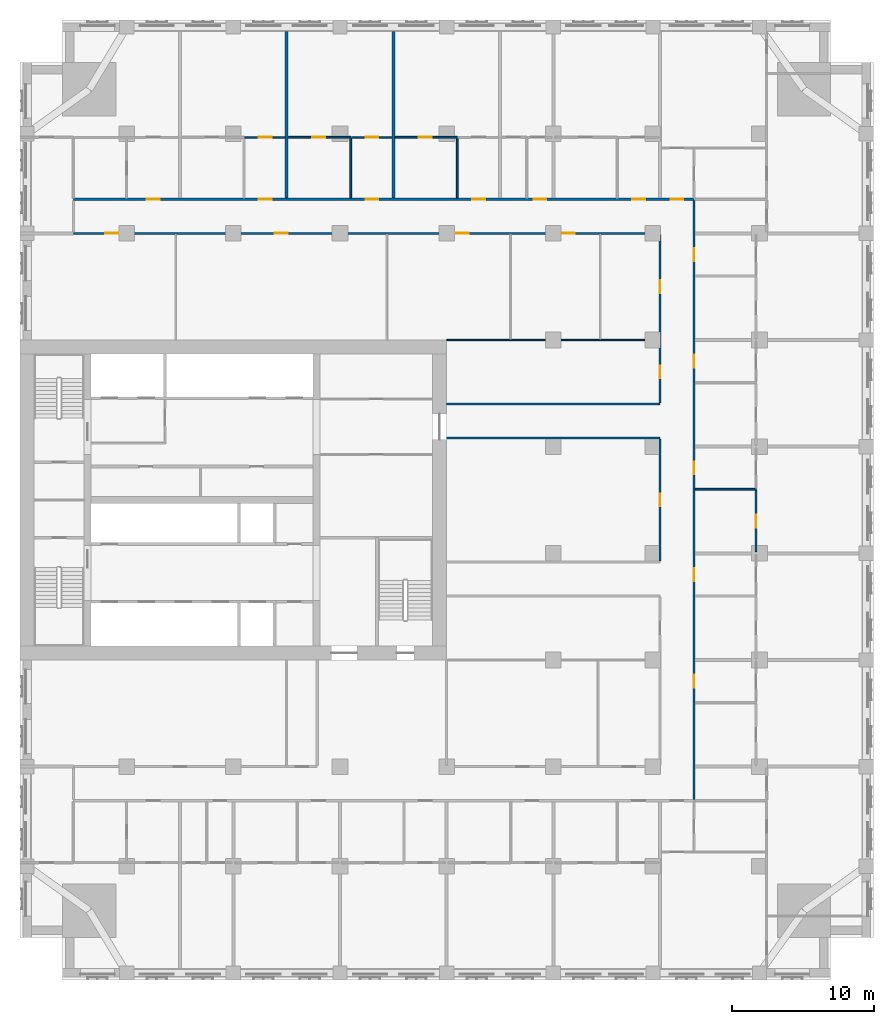
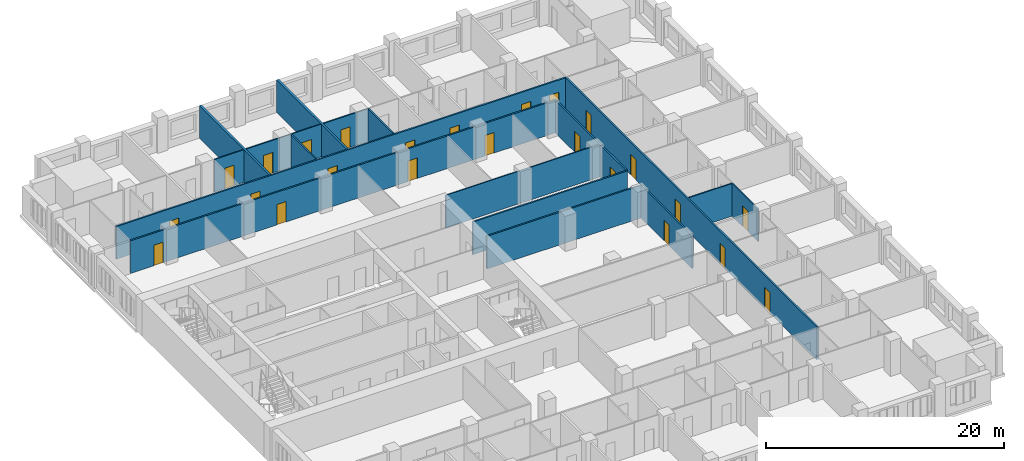
# One storey, part 9 of 14: 24 doors, 18 walls, 24 openings.
"""IFC4 building model written with IfcOpenShell, lengths in metres."""

from ifc_helpers import new_model, si_unit, direction, frame, frame_2d, origin, place, context, subcontext, project, spatial, rectangle, extrude, material, layer, layer_set, type_object, element, fill, save


model = new_model("IFC4")

# Units and contexts
model_context = context("Model", 3, precision=1e-05, world=origin(), true_north=direction((0.0, 1.0)))
body_context = subcontext(model_context, "Body", "Model", "MODEL_VIEW")
ifc_project = project(units=[si_unit("LENGTHUNIT", "METRE"), si_unit("AREAUNIT", "SQUARE_METRE"), si_unit("VOLUMEUNIT", "CUBIC_METRE"), si_unit("PLANEANGLEUNIT", "RADIAN"), si_unit("MASSUNIT", "GRAM", prefix="KILO")], contexts=[model_context])

# Site, building, storey
site_placement = place(None, origin())
site = spatial("IfcSite", under=ifc_project, at=site_placement, CompositionType="ELEMENT")
building_placement = place(site_placement, origin())
building = spatial("IfcBuilding", under=site, at=building_placement, Name="Tamorin Gate", CompositionType="ELEMENT")
storey_placement = place(building_placement, frame((0.0, 0.0, 100.699951171875)))
storey = spatial("IfcBuildingStorey", under=building, at=storey_placement, Name="L24", CompositionType="ELEMENT", Elevation=100.699951171875)

# Wall, openings, doors
ifc_material_1 = material(Name="Gypsum board partition")
ifc_layer_1 = layer(ifc_material_1, 0.14990234375)
ifc_layer_set_1 = layer_set([ifc_layer_1], Name="Corridor wall 150")
wall_type_1 = type_object("IfcWallType", Name="Corridor wall 150", PredefinedType="PARTITIONING", material=ifc_layer_set_1)
wall_1_placement = place(storey_placement, frame((33.75, 90.0, 0.0), z_axis=(0.0, 0.0, 1.0), x_axis=(1.0, 0.0, 0.0)))
wall_1 = element("IfcWall", 1, at=wall_1_placement, inside=storey, type_object=wall_type_1, Name="Corridor wall 150", PredefinedType="PARTITIONING", context=body_context, shape_type="SweptSolid", body=[
    extrude(rectangle(XDim=41.25, YDim=0.14990234375, at=frame_2d((20.625, 0.0))), origin(), (0.0, 0.0, 1.0), 3.35009765625),
])
opening_1_placement = place(wall_1_placement, frame((2.25, 0.0, 0.0)))
opening_1 = element("IfcOpeningElement", 2, at=opening_1_placement, cuts=wall_1, Name="Opening DH7070", PredefinedType="OPENING", context=body_context, shape_type="SweptSolid", body=[
    extrude(rectangle(XDim=0.89990234375, YDim=2.10009765625, at=frame_2d((0.449951171875, 1.050048828125))), frame((0.0, 0.0849609375, 0.0), z_axis=(0.0, -1.0, 0.0), x_axis=(1.0, 0.0, 0.0)), (0.0, 0.0, 1.0), 0.169921875),
])
opening_2_placement = place(wall_1_placement, frame((14.175048828125, 0.0, 0.0)))
opening_2 = element("IfcOpeningElement", 3, at=opening_2_placement, cuts=wall_1, Name="Opening DH7071", PredefinedType="OPENING", context=body_context, shape_type="SweptSolid", body=[
    extrude(rectangle(XDim=0.89990234375, YDim=2.10009765625, at=frame_2d((0.449951171875, 1.050048828125))), frame((0.0, 0.0849609375, 0.0), z_axis=(0.0, -1.0, 0.0), x_axis=(1.0, 0.0, 0.0)), (0.0, 0.0, 1.0), 0.169921875),
])
opening_3_placement = place(wall_1_placement, frame((26.89990234375, 0.0, 0.0)))
opening_3 = element("IfcOpeningElement", 4, at=opening_3_placement, cuts=wall_1, Name="Opening DH7072", PredefinedType="OPENING", context=body_context, shape_type="SweptSolid", body=[
    extrude(rectangle(XDim=0.89990234375, YDim=2.10009765625, at=frame_2d((0.449951171875, 1.050048828125))), frame((0.0, 0.0849609375, 0.0), z_axis=(0.0, -1.0, 0.0), x_axis=(1.0, 0.0, 0.0)), (0.0, 0.0, 1.0), 0.169921875),
])
opening_4_placement = place(wall_1_placement, frame((34.35009765625, 0.0, 0.0)))
opening_4 = element("IfcOpeningElement", 5, at=opening_4_placement, cuts=wall_1, Name="Opening DH7073", PredefinedType="OPENING", context=body_context, shape_type="SweptSolid", body=[
    extrude(rectangle(XDim=0.89990234375, YDim=2.10009765625, at=frame_2d((0.449951171875, 1.050048828125))), frame((0.0, 0.0849609375, 0.0), z_axis=(0.0, -1.0, 0.0), x_axis=(1.0, 0.0, 0.0)), (0.0, 0.0, 1.0), 0.169921875),
])
ifc_material_2 = material(Name="Timber door leaf", Category="wood")
door_type_1 = type_object("IfcDoorType", Name="Door 900 x 2100 FD30S", OperationType="NOTDEFINED", PredefinedType="DOOR", material=ifc_material_2)
door_1_placement = place(opening_1_placement, origin())
door_1 = element("IfcDoor", 6, at=door_1_placement, inside=storey, type_object=door_type_1, Name="Door DH7070", OperationType="SINGLE_SWING_RIGHT", OverallHeight=2.10009765625, OverallWidth=0.89990234375, PredefinedType="DOOR", context=body_context, shape_type="SweptSolid", body=[
    extrude(rectangle(XDim=0.89990234375, YDim=2.10009765625, at=frame_2d((0.449951171875, 1.050048828125))), frame((0.0, 0.02490234375, 0.0), z_axis=(0.0, -1.0, 0.0), x_axis=(1.0, 0.0, 0.0)), (0.0, 0.0, 1.0), 0.050048828125),
])
fill(opening_1, door_1)
door_2_placement = place(opening_2_placement, origin())
door_2 = element("IfcDoor", 7, at=door_2_placement, inside=storey, type_object=door_type_1, Name="Door DH7071", OperationType="SINGLE_SWING_RIGHT", OverallHeight=2.10009765625, OverallWidth=0.89990234375, PredefinedType="DOOR", context=body_context, shape_type="SweptSolid", body=[
    extrude(rectangle(XDim=0.89990234375, YDim=2.10009765625, at=frame_2d((0.449951171875, 1.050048828125))), frame((0.0, 0.02490234375, 0.0), z_axis=(0.0, -1.0, 0.0), x_axis=(1.0, 0.0, 0.0)), (0.0, 0.0, 1.0), 0.050048828125),
])
fill(opening_2, door_2)
door_3_placement = place(opening_3_placement, origin())
door_3 = element("IfcDoor", 8, at=door_3_placement, inside=storey, type_object=door_type_1, Name="Door DH7072", OperationType="SINGLE_SWING_LEFT", OverallHeight=2.10009765625, OverallWidth=0.89990234375, PredefinedType="DOOR", context=body_context, shape_type="SweptSolid", body=[
    extrude(rectangle(XDim=0.89990234375, YDim=2.10009765625, at=frame_2d((0.449951171875, 1.050048828125))), frame((0.0, 0.02490234375, 0.0), z_axis=(0.0, -1.0, 0.0), x_axis=(1.0, 0.0, 0.0)), (0.0, 0.0, 1.0), 0.050048828125),
])
fill(opening_3, door_3)
door_4_placement = place(opening_4_placement, origin())
door_4 = element("IfcDoor", 9, at=door_4_placement, inside=storey, type_object=door_type_1, Name="Door DH7073", OperationType="SINGLE_SWING_LEFT", OverallHeight=2.10009765625, OverallWidth=0.89990234375, PredefinedType="DOOR", context=body_context, shape_type="SweptSolid", body=[
    extrude(rectangle(XDim=0.89990234375, YDim=2.10009765625, at=frame_2d((0.449951171875, 1.050048828125))), frame((0.0, 0.02490234375, 0.0), z_axis=(0.0, -1.0, 0.0), x_axis=(1.0, 0.0, 0.0)), (0.0, 0.0, 1.0), 0.050048828125),
])
fill(opening_4, door_4)

wall_2_placement = place(storey_placement, frame((33.75, 92.39990234375, 0.0), z_axis=(0.0, 0.0, 1.0), x_axis=(1.0, 0.0, 0.0)))
wall_2 = element("IfcWall", 10, at=wall_2_placement, inside=storey, type_object=wall_type_1, Name="Corridor wall 150", PredefinedType="PARTITIONING", context=body_context, shape_type="SweptSolid", body=[
    extrude(rectangle(XDim=43.64990234375, YDim=0.14990234375, at=frame_2d((21.824951171875, 0.0))), origin(), (0.0, 0.0, 1.0), 3.35009765625),
])
opening_5_placement = place(wall_2_placement, frame((5.175048828125, 0.0, 0.0)))
opening_5 = element("IfcOpeningElement", 11, at=opening_5_placement, cuts=wall_2, Name="Opening DH7022", PredefinedType="OPENING", context=body_context, shape_type="SweptSolid", body=[
    extrude(rectangle(XDim=0.89990234375, YDim=2.10009765625, at=frame_2d((0.449951171875, 1.050048828125))), frame((0.0, 0.0849609375, 0.0), z_axis=(0.0, -1.0, 0.0), x_axis=(1.0, 0.0, 0.0)), (0.0, 0.0, 1.0), 0.169921875),
])
opening_6_placement = place(wall_2_placement, frame((13.050048828125, 0.0, 0.0)))
opening_6 = element("IfcOpeningElement", 12, at=opening_6_placement, cuts=wall_2, Name="Opening DH7025", PredefinedType="OPENING", context=body_context, shape_type="SweptSolid", body=[
    extrude(rectangle(XDim=0.89990234375, YDim=2.10009765625, at=frame_2d((0.449951171875, 1.050048828125))), frame((0.0, 0.0849609375, 0.0), z_axis=(0.0, -1.0, 0.0), x_axis=(1.0, 0.0, 0.0)), (0.0, 0.0, 1.0), 0.169921875),
])
opening_7_placement = place(wall_2_placement, frame((20.550048828125, 0.0, 0.0)))
opening_7 = element("IfcOpeningElement", 13, at=opening_7_placement, cuts=wall_2, Name="Opening DH7028", PredefinedType="OPENING", context=body_context, shape_type="SweptSolid", body=[
    extrude(rectangle(XDim=0.89990234375, YDim=2.10009765625, at=frame_2d((0.449951171875, 1.050048828125))), frame((0.0, 0.0849609375, 0.0), z_axis=(0.0, -1.0, 0.0), x_axis=(1.0, 0.0, 0.0)), (0.0, 0.0, 1.0), 0.169921875),
])
opening_8_placement = place(wall_2_placement, frame((28.050048828125, 0.0, 0.0)))
opening_8 = element("IfcOpeningElement", 14, at=opening_8_placement, cuts=wall_2, Name="Opening DH7031", PredefinedType="OPENING", context=body_context, shape_type="SweptSolid", body=[
    extrude(rectangle(XDim=0.89990234375, YDim=2.10009765625, at=frame_2d((0.449951171875, 1.050048828125))), frame((0.0, 0.0849609375, 0.0), z_axis=(0.0, -1.0, 0.0), x_axis=(1.0, 0.0, 0.0)), (0.0, 0.0, 1.0), 0.169921875),
])
opening_9_placement = place(wall_2_placement, frame((32.362548828125, 0.0, 0.0)))
opening_9 = element("IfcOpeningElement", 15, at=opening_9_placement, cuts=wall_2, Name="Opening DH7034", PredefinedType="OPENING", context=body_context, shape_type="SweptSolid", body=[
    extrude(rectangle(XDim=0.89990234375, YDim=2.10009765625, at=frame_2d((0.449951171875, 1.050048828125))), frame((0.0, 0.0849609375, 0.0), z_axis=(0.0, -1.0, 0.0), x_axis=(1.0, 0.0, 0.0)), (0.0, 0.0, 1.0), 0.169921875),
])
opening_10_placement = place(wall_2_placement, frame((39.300048828125, 0.0, 0.0)))
opening_10 = element("IfcOpeningElement", 16, at=opening_10_placement, cuts=wall_2, Name="Opening DH7037", PredefinedType="OPENING", context=body_context, shape_type="SweptSolid", body=[
    extrude(rectangle(XDim=0.89990234375, YDim=2.10009765625, at=frame_2d((0.449951171875, 1.050048828125))), frame((0.0, 0.0849609375, 0.0), z_axis=(0.0, -1.0, 0.0), x_axis=(1.0, 0.0, 0.0)), (0.0, 0.0, 1.0), 0.169921875),
])
opening_11_placement = place(wall_2_placement, frame((42.0, 0.0, 0.0)))
opening_11 = element("IfcOpeningElement", 17, at=opening_11_placement, cuts=wall_2, Name="Opening DH7060", PredefinedType="OPENING", context=body_context, shape_type="SweptSolid", body=[
    extrude(rectangle(XDim=0.89990234375, YDim=2.10009765625, at=frame_2d((0.449951171875, 1.050048828125))), frame((0.0, 0.0849609375, 0.0), z_axis=(0.0, -1.0, 0.0), x_axis=(1.0, 0.0, 0.0)), (0.0, 0.0, 1.0), 0.169921875),
])
door_5_placement = place(opening_5_placement, origin())
door_5 = element("IfcDoor", 18, at=door_5_placement, inside=storey, type_object=door_type_1, Name="Door DH7022", OperationType="SINGLE_SWING_LEFT", OverallHeight=2.10009765625, OverallWidth=0.89990234375, PredefinedType="DOOR", context=body_context, shape_type="SweptSolid", body=[
    extrude(rectangle(XDim=0.89990234375, YDim=2.10009765625, at=frame_2d((0.449951171875, 1.050048828125))), frame((0.0, 0.02490234375, 0.0), z_axis=(0.0, -1.0, 0.0), x_axis=(1.0, 0.0, 0.0)), (0.0, 0.0, 1.0), 0.050048828125),
])
fill(opening_5, door_5)
door_6_placement = place(opening_6_placement, origin())
door_6 = element("IfcDoor", 19, at=door_6_placement, inside=storey, type_object=door_type_1, Name="Door DH7025", OperationType="SINGLE_SWING_LEFT", OverallHeight=2.10009765625, OverallWidth=0.89990234375, PredefinedType="DOOR", context=body_context, shape_type="SweptSolid", body=[
    extrude(rectangle(XDim=0.89990234375, YDim=2.10009765625, at=frame_2d((0.449951171875, 1.050048828125))), frame((0.0, 0.02490234375, 0.0), z_axis=(0.0, -1.0, 0.0), x_axis=(1.0, 0.0, 0.0)), (0.0, 0.0, 1.0), 0.050048828125),
])
fill(opening_6, door_6)
door_7_placement = place(opening_7_placement, origin())
door_7 = element("IfcDoor", 20, at=door_7_placement, inside=storey, type_object=door_type_1, Name="Door DH7028", OperationType="SINGLE_SWING_LEFT", OverallHeight=2.10009765625, OverallWidth=0.89990234375, PredefinedType="DOOR", context=body_context, shape_type="SweptSolid", body=[
    extrude(rectangle(XDim=0.89990234375, YDim=2.10009765625, at=frame_2d((0.449951171875, 1.050048828125))), frame((0.0, 0.02490234375, 0.0), z_axis=(0.0, -1.0, 0.0), x_axis=(1.0, 0.0, 0.0)), (0.0, 0.0, 1.0), 0.050048828125),
])
fill(opening_7, door_7)
door_8_placement = place(opening_8_placement, origin())
door_8 = element("IfcDoor", 21, at=door_8_placement, inside=storey, type_object=door_type_1, Name="Door DH7031", OperationType="SINGLE_SWING_LEFT", OverallHeight=2.10009765625, OverallWidth=0.89990234375, PredefinedType="DOOR", context=body_context, shape_type="SweptSolid", body=[
    extrude(rectangle(XDim=0.89990234375, YDim=2.10009765625, at=frame_2d((0.449951171875, 1.050048828125))), frame((0.0, 0.02490234375, 0.0), z_axis=(0.0, -1.0, 0.0), x_axis=(1.0, 0.0, 0.0)), (0.0, 0.0, 1.0), 0.050048828125),
])
fill(opening_8, door_8)
door_9_placement = place(opening_9_placement, origin())
door_9 = element("IfcDoor", 22, at=door_9_placement, inside=storey, type_object=door_type_1, Name="Door DH7034", OperationType="SINGLE_SWING_LEFT", OverallHeight=2.10009765625, OverallWidth=0.89990234375, PredefinedType="DOOR", context=body_context, shape_type="SweptSolid", body=[
    extrude(rectangle(XDim=0.89990234375, YDim=2.10009765625, at=frame_2d((0.449951171875, 1.050048828125))), frame((0.0, 0.02490234375, 0.0), z_axis=(0.0, -1.0, 0.0), x_axis=(1.0, 0.0, 0.0)), (0.0, 0.0, 1.0), 0.050048828125),
])
fill(opening_9, door_9)
door_10_placement = place(opening_10_placement, origin())
door_10 = element("IfcDoor", 23, at=door_10_placement, inside=storey, type_object=door_type_1, Name="Door DH7037", OperationType="SINGLE_SWING_LEFT", OverallHeight=2.10009765625, OverallWidth=0.89990234375, PredefinedType="DOOR", context=body_context, shape_type="SweptSolid", body=[
    extrude(rectangle(XDim=0.89990234375, YDim=2.10009765625, at=frame_2d((0.449951171875, 1.050048828125))), frame((0.0, 0.02490234375, 0.0), z_axis=(0.0, -1.0, 0.0), x_axis=(1.0, 0.0, 0.0)), (0.0, 0.0, 1.0), 0.050048828125),
])
fill(opening_10, door_10)
door_11_placement = place(opening_11_placement, origin())
door_11 = element("IfcDoor", 24, at=door_11_placement, inside=storey, type_object=door_type_1, Name="Door DH7060", OperationType="SINGLE_SWING_RIGHT", OverallHeight=2.10009765625, OverallWidth=0.89990234375, PredefinedType="DOOR", context=body_context, shape_type="SweptSolid", body=[
    extrude(rectangle(XDim=0.89990234375, YDim=2.10009765625, at=frame_2d((0.449951171875, 1.050048828125))), frame((0.0, 0.02490234375, 0.0), z_axis=(0.0, -1.0, 0.0), x_axis=(1.0, 0.0, 0.0)), (0.0, 0.0, 1.0), 0.050048828125),
])
fill(opening_11, door_11)

# Wall, opening, door
wall_3_placement = place(storey_placement, frame((75.0, 66.97509765625, 0.0), z_axis=(0.0, 0.0, 1.0), x_axis=(0.0, 1.0, 0.0)))
wall_3 = element("IfcWall", 25, at=wall_3_placement, inside=storey, type_object=wall_type_1, Name="Corridor wall 150", PredefinedType="PARTITIONING", context=body_context, shape_type="SweptSolid", body=[
    extrude(rectangle(XDim=8.5498046875, YDim=0.14990234375, at=frame_2d((4.27490234375, 0.0))), origin(), (0.0, 0.0, 1.0), 3.35009765625),
])
opening_12_placement = place(wall_3_placement, frame((3.824951171875, 0.0, 0.0)))
opening_12 = element("IfcOpeningElement", 26, at=opening_12_placement, cuts=wall_3, Name="Opening DH7076", PredefinedType="OPENING", context=body_context, shape_type="SweptSolid", body=[
    extrude(rectangle(XDim=0.89990234375, YDim=2.10009765625, at=frame_2d((0.449951171875, 1.050048828125))), frame((0.0, 0.0849609375, 0.0), z_axis=(0.0, -1.0, 0.0), x_axis=(1.0, 0.0, 0.0)), (0.0, 0.0, 1.0), 0.169921875),
])
door_12_placement = place(opening_12_placement, origin())
door_12 = element("IfcDoor", 27, at=door_12_placement, inside=storey, type_object=door_type_1, Name="Door DH7076", OperationType="SINGLE_SWING_LEFT", OverallHeight=2.10009765625, OverallWidth=0.89990234375, PredefinedType="DOOR", context=body_context, shape_type="SweptSolid", body=[
    extrude(rectangle(XDim=0.89990234375, YDim=2.10009765625, at=frame_2d((0.449951171875, 1.050048828125))), frame((0.0, 0.02490234375, 0.0), z_axis=(0.0, -1.0, 0.0), x_axis=(1.0, 0.0, 0.0)), (0.0, 0.0, 1.0), 0.050048828125),
])
fill(opening_12, door_12)

# Wall, openings, doors
wall_4_placement = place(storey_placement, frame((75.0, 78.074951171875, 0.0), z_axis=(0.0, 0.0, 1.0), x_axis=(0.0, 1.0, 0.0)))
wall_4 = element("IfcWall", 28, at=wall_4_placement, inside=storey, type_object=wall_type_1, Name="Corridor wall 150", PredefinedType="PARTITIONING", context=body_context, shape_type="SweptSolid", body=[
    extrude(rectangle(XDim=11.85009765625, YDim=0.14990234375, at=frame_2d((5.925048828125, 0.0))), origin(), (0.0, 0.0, 1.0), 3.35009765625),
])
opening_13_placement = place(wall_4_placement, frame((7.72509765625, 0.0, 0.0)))
opening_13 = element("IfcOpeningElement", 29, at=opening_13_placement, cuts=wall_4, Name="Opening DH7074", PredefinedType="OPENING", context=body_context, shape_type="SweptSolid", body=[
    extrude(rectangle(XDim=0.89990234375, YDim=2.10009765625, at=frame_2d((0.449951171875, 1.050048828125))), frame((0.0, 0.0849609375, 0.0), z_axis=(0.0, -1.0, 0.0), x_axis=(1.0, 0.0, 0.0)), (0.0, 0.0, 1.0), 0.169921875),
])
opening_14_placement = place(wall_4_placement, frame((1.72509765625, 0.0, 0.0)))
opening_14 = element("IfcOpeningElement", 30, at=opening_14_placement, cuts=wall_4, Name="Opening DH7077", PredefinedType="OPENING", context=body_context, shape_type="SweptSolid", body=[
    extrude(rectangle(XDim=0.89990234375, YDim=2.10009765625, at=frame_2d((0.449951171875, 1.050048828125))), frame((0.0, 0.0849609375, 0.0), z_axis=(0.0, -1.0, 0.0), x_axis=(1.0, 0.0, 0.0)), (0.0, 0.0, 1.0), 0.169921875),
])
door_13_placement = place(opening_13_placement, origin())
door_13 = element("IfcDoor", 31, at=door_13_placement, inside=storey, type_object=door_type_1, Name="Door DH7074", OperationType="SINGLE_SWING_LEFT", OverallHeight=2.10009765625, OverallWidth=0.89990234375, PredefinedType="DOOR", context=body_context, shape_type="SweptSolid", body=[
    extrude(rectangle(XDim=0.89990234375, YDim=2.10009765625, at=frame_2d((0.449951171875, 1.050048828125))), frame((0.0, 0.02490234375, 0.0), z_axis=(0.0, -1.0, 0.0), x_axis=(1.0, 0.0, 0.0)), (0.0, 0.0, 1.0), 0.050048828125),
])
fill(opening_13, door_13)
door_14_placement = place(opening_14_placement, origin())
door_14 = element("IfcDoor", 32, at=door_14_placement, inside=storey, type_object=door_type_1, Name="Door DH7077", OperationType="SINGLE_SWING_LEFT", OverallHeight=2.10009765625, OverallWidth=0.89990234375, PredefinedType="DOOR", context=body_context, shape_type="SweptSolid", body=[
    extrude(rectangle(XDim=0.89990234375, YDim=2.10009765625, at=frame_2d((0.449951171875, 1.050048828125))), frame((0.0, 0.02490234375, 0.0), z_axis=(0.0, -1.0, 0.0), x_axis=(1.0, 0.0, 0.0)), (0.0, 0.0, 1.0), 0.050048828125),
])
fill(opening_14, door_14)

wall_5_placement = place(storey_placement, frame((77.39990234375, 50.175048828125, 0.0), z_axis=(0.0, 0.0, 1.0), x_axis=(0.0, 1.0, 0.0)))
wall_5 = element("IfcWall", 33, at=wall_5_placement, inside=storey, type_object=wall_type_1, Name="Corridor wall 150", PredefinedType="PARTITIONING", context=body_context, shape_type="SweptSolid", body=[
    extrude(rectangle(XDim=42.14990234375, YDim=0.14990234375, at=frame_2d((21.074951171875, 0.0))), origin(), (0.0, 0.0, 1.0), 3.35009765625),
])
opening_15_placement = place(wall_5_placement, frame((7.875, 0.0, 0.0)))
opening_15 = element("IfcOpeningElement", 34, at=opening_15_placement, cuts=wall_5, Name="Opening DH7040", PredefinedType="OPENING", context=body_context, shape_type="SweptSolid", body=[
    extrude(rectangle(XDim=0.89990234375, YDim=2.10009765625, at=frame_2d((0.449951171875, 1.050048828125))), frame((0.0, 0.0849609375, 0.0), z_axis=(0.0, -1.0, 0.0), x_axis=(1.0, 0.0, 0.0)), (0.0, 0.0, 1.0), 0.169921875),
])
opening_16_placement = place(wall_5_placement, frame((15.375, 0.0, 0.0)))
opening_16 = element("IfcOpeningElement", 35, at=opening_16_placement, cuts=wall_5, Name="Opening DH7043", PredefinedType="OPENING", context=body_context, shape_type="SweptSolid", body=[
    extrude(rectangle(XDim=0.89990234375, YDim=2.10009765625, at=frame_2d((0.449951171875, 1.050048828125))), frame((0.0, 0.0849609375, 0.0), z_axis=(0.0, -1.0, 0.0), x_axis=(1.0, 0.0, 0.0)), (0.0, 0.0, 1.0), 0.169921875),
])
opening_17_placement = place(wall_5_placement, frame((22.875, 0.0, 0.0)))
opening_17 = element("IfcOpeningElement", 36, at=opening_17_placement, cuts=wall_5, Name="Opening DH7046", PredefinedType="OPENING", context=body_context, shape_type="SweptSolid", body=[
    extrude(rectangle(XDim=0.89990234375, YDim=2.10009765625, at=frame_2d((0.449951171875, 1.050048828125))), frame((0.0, 0.0849609375, 0.0), z_axis=(0.0, -1.0, 0.0), x_axis=(1.0, 0.0, 0.0)), (0.0, 0.0, 1.0), 0.169921875),
])
opening_18_placement = place(wall_5_placement, frame((30.375, 0.0, 0.0)))
opening_18 = element("IfcOpeningElement", 37, at=opening_18_placement, cuts=wall_5, Name="Opening DH7049", PredefinedType="OPENING", context=body_context, shape_type="SweptSolid", body=[
    extrude(rectangle(XDim=0.89990234375, YDim=2.10009765625, at=frame_2d((0.449951171875, 1.050048828125))), frame((0.0, 0.0849609375, 0.0), z_axis=(0.0, -1.0, 0.0), x_axis=(1.0, 0.0, 0.0)), (0.0, 0.0, 1.0), 0.169921875),
])
opening_19_placement = place(wall_5_placement, frame((37.875, 0.0, 0.0)))
opening_19 = element("IfcOpeningElement", 38, at=opening_19_placement, cuts=wall_5, Name="Opening DH7052", PredefinedType="OPENING", context=body_context, shape_type="SweptSolid", body=[
    extrude(rectangle(XDim=0.89990234375, YDim=2.10009765625, at=frame_2d((0.449951171875, 1.050048828125))), frame((0.0, 0.0849609375, 0.0), z_axis=(0.0, -1.0, 0.0), x_axis=(1.0, 0.0, 0.0)), (0.0, 0.0, 1.0), 0.169921875),
])
door_15_placement = place(opening_15_placement, origin())
door_15 = element("IfcDoor", 39, at=door_15_placement, inside=storey, type_object=door_type_1, Name="Door DH7040", OperationType="SINGLE_SWING_RIGHT", OverallHeight=2.10009765625, OverallWidth=0.89990234375, PredefinedType="DOOR", context=body_context, shape_type="SweptSolid", body=[
    extrude(rectangle(XDim=0.89990234375, YDim=2.10009765625, at=frame_2d((0.449951171875, 1.050048828125))), frame((0.0, 0.02490234375, 0.0), z_axis=(0.0, -1.0, 0.0), x_axis=(1.0, 0.0, 0.0)), (0.0, 0.0, 1.0), 0.050048828125),
])
fill(opening_15, door_15)
door_16_placement = place(opening_16_placement, origin())
door_16 = element("IfcDoor", 40, at=door_16_placement, inside=storey, type_object=door_type_1, Name="Door DH7043", OperationType="SINGLE_SWING_RIGHT", OverallHeight=2.10009765625, OverallWidth=0.89990234375, PredefinedType="DOOR", context=body_context, shape_type="SweptSolid", body=[
    extrude(rectangle(XDim=0.89990234375, YDim=2.10009765625, at=frame_2d((0.449951171875, 1.050048828125))), frame((0.0, 0.02490234375, 0.0), z_axis=(0.0, -1.0, 0.0), x_axis=(1.0, 0.0, 0.0)), (0.0, 0.0, 1.0), 0.050048828125),
])
fill(opening_16, door_16)
door_17_placement = place(opening_17_placement, origin())
door_17 = element("IfcDoor", 41, at=door_17_placement, inside=storey, type_object=door_type_1, Name="Door DH7046", OperationType="SINGLE_SWING_RIGHT", OverallHeight=2.10009765625, OverallWidth=0.89990234375, PredefinedType="DOOR", context=body_context, shape_type="SweptSolid", body=[
    extrude(rectangle(XDim=0.89990234375, YDim=2.10009765625, at=frame_2d((0.449951171875, 1.050048828125))), frame((0.0, 0.02490234375, 0.0), z_axis=(0.0, -1.0, 0.0), x_axis=(1.0, 0.0, 0.0)), (0.0, 0.0, 1.0), 0.050048828125),
])
fill(opening_17, door_17)
door_18_placement = place(opening_18_placement, origin())
door_18 = element("IfcDoor", 42, at=door_18_placement, inside=storey, type_object=door_type_1, Name="Door DH7049", OperationType="SINGLE_SWING_RIGHT", OverallHeight=2.10009765625, OverallWidth=0.89990234375, PredefinedType="DOOR", context=body_context, shape_type="SweptSolid", body=[
    extrude(rectangle(XDim=0.89990234375, YDim=2.10009765625, at=frame_2d((0.449951171875, 1.050048828125))), frame((0.0, 0.02490234375, 0.0), z_axis=(0.0, -1.0, 0.0), x_axis=(1.0, 0.0, 0.0)), (0.0, 0.0, 1.0), 0.050048828125),
])
fill(opening_18, door_18)
door_19_placement = place(opening_19_placement, origin())
door_19 = element("IfcDoor", 43, at=door_19_placement, inside=storey, type_object=door_type_1, Name="Door DH7052", OperationType="SINGLE_SWING_RIGHT", OverallHeight=2.10009765625, OverallWidth=0.89990234375, PredefinedType="DOOR", context=body_context, shape_type="SweptSolid", body=[
    extrude(rectangle(XDim=0.89990234375, YDim=2.10009765625, at=frame_2d((0.449951171875, 1.050048828125))), frame((0.0, 0.02490234375, 0.0), z_axis=(0.0, -1.0, 0.0), x_axis=(1.0, 0.0, 0.0)), (0.0, 0.0, 1.0), 0.050048828125),
])
fill(opening_19, door_19)

# Walls
ifc_layer_2 = layer(ifc_material_1, 0.199951171875)
ifc_layer_set_2 = layer_set([ifc_layer_2], Name="Demising wall 200")
wall_type_2 = type_object("IfcWallType", Name="Demising wall 200", PredefinedType="PARTITIONING", material=ifc_layer_set_2)
for number, where, z_axis, x_axis, name in (
    (44, (48.75, 92.47509765625, 0.0), (0.0, 0.0, 1.0), (0.0, 1.0, 0.0), "Demising wall 200"),
    (45, (56.25, 92.47509765625, 0.0), (0.0, 0.0, 1.0), (0.0, 1.0, 0.0), "Demising wall 200"),
):
    element("IfcWall", number, at=place(storey_placement, frame(where, z_axis=z_axis, x_axis=x_axis)), inside=storey, type_object=wall_type_2, Name=name, PredefinedType="PARTITIONING", context=body_context, shape_type="SweptSolid", body=[
        extrude(rectangle(XDim=11.71484375, YDim=0.199951171875, at=frame_2d((5.857421875, 0.0))), origin(), (0.0, 0.0, 1.0), 3.35009765625),
    ])
ifc_layer_3 = layer(ifc_material_1, 0.14990234375)
ifc_layer_set_3 = layer_set([ifc_layer_3], Name="Lobby wall 150")
wall_type_3 = type_object("IfcWallType", Name="Lobby wall 150", PredefinedType="PARTITIONING", material=ifc_layer_set_3)
for number, where, z_axis, x_axis, name in (
    (46, (60.0, 75.60009765625, 0.0), (0.0, 0.0, 1.0), (1.0, 0.0, 0.0), "Lobby wall 150"),
    (47, (60.0, 78.0, 0.0), (0.0, 0.0, 1.0), (1.0, 0.0, 0.0), "Lobby wall 150"),
):
    element("IfcWall", number, at=place(storey_placement, frame(where, z_axis=z_axis, x_axis=x_axis)), inside=storey, type_object=wall_type_3, Name=name, PredefinedType="PARTITIONING", context=body_context, shape_type="SweptSolid", body=[
        extrude(rectangle(XDim=15.0, YDim=0.14990234375, at=frame_2d((7.5, 0.0))), origin(), (0.0, 0.0, 1.0), 3.35009765625),
    ])
ifc_layer_4 = layer(ifc_material_1, 0.10009765625)
ifc_layer_set_4 = layer_set([ifc_layer_4], Name="Room partition 100")
wall_type_4 = type_object("IfcWallType", Name="Room partition 100", PredefinedType="PARTITIONING", material=ifc_layer_set_4)
wall_6_placement = place(storey_placement, frame((60.0, 82.5, 0.0), z_axis=(0.0, 0.0, 1.0), x_axis=(1.0, 0.0, 0.0)))
element("IfcWall", 48, at=wall_6_placement, inside=storey, type_object=wall_type_4, Name="Room partition 100", PredefinedType="PARTITIONING", context=body_context, shape_type="SweptSolid", body=[
    extrude(rectangle(XDim=14.925048828125, YDim=0.10009765625, at=frame_2d((7.46240234375, 0.0))), origin(), (0.0, 0.0, 1.0), 3.35009765625),
])

# Wall, opening, door
wall_7_placement = place(storey_placement, frame((45.8125, 96.75, 0.0), z_axis=(0.0, 0.0, 1.0), x_axis=(1.0, 0.0, 0.0)))
wall_7 = element("IfcWall", 49, at=wall_7_placement, inside=storey, type_object=wall_type_4, Name="Room partition 100", PredefinedType="PARTITIONING", context=body_context, shape_type="SweptSolid", body=[
    extrude(rectangle(XDim=2.83740234375, YDim=0.10009765625, at=frame_2d((1.418701171875, 0.0))), origin(), (0.0, 0.0, 1.0), 3.35009765625),
])
opening_20_placement = place(wall_7_placement, frame((0.987548828125, 0.0, 0.0)))
opening_20 = element("IfcOpeningElement", 50, at=opening_20_placement, cuts=wall_7, Name="Opening DH7026", PredefinedType="OPENING", context=body_context, shape_type="SweptSolid", body=[
    extrude(rectangle(XDim=0.89990234375, YDim=2.10009765625, at=frame_2d((0.449951171875, 1.050048828125))), frame((0.0, 0.06005859375, 0.0), z_axis=(0.0, -1.0, 0.0), x_axis=(1.0, 0.0, 0.0)), (0.0, 0.0, 1.0), 0.1201171875),
])
door_type_2 = type_object("IfcDoorType", Name="Door 900 x 2100", OperationType="NOTDEFINED", PredefinedType="DOOR", material=ifc_material_2)
door_20_placement = place(opening_20_placement, origin())
door_20 = element("IfcDoor", 51, at=door_20_placement, inside=storey, type_object=door_type_2, Name="Door DH7026", OperationType="SINGLE_SWING_RIGHT", OverallHeight=2.10009765625, OverallWidth=0.89990234375, PredefinedType="DOOR", context=body_context, shape_type="SweptSolid", body=[
    extrude(rectangle(XDim=0.89990234375, YDim=2.10009765625, at=frame_2d((0.449951171875, 1.050048828125))), frame((0.0, 0.02490234375, 0.0), z_axis=(0.0, -1.0, 0.0), x_axis=(1.0, 0.0, 0.0)), (0.0, 0.0, 1.0), 0.050048828125),
])
fill(opening_20, door_20)

wall_8_placement = place(storey_placement, frame((53.3125, 96.75, 0.0), z_axis=(0.0, 0.0, 1.0), x_axis=(1.0, 0.0, 0.0)))
wall_8 = element("IfcWall", 52, at=wall_8_placement, inside=storey, type_object=wall_type_4, Name="Room partition 100", PredefinedType="PARTITIONING", context=body_context, shape_type="SweptSolid", body=[
    extrude(rectangle(XDim=2.83740234375, YDim=0.10009765625, at=frame_2d((1.418701171875, 0.0))), origin(), (0.0, 0.0, 1.0), 3.35009765625),
])
opening_21_placement = place(wall_8_placement, frame((0.987548828125, 0.0, 0.0)))
opening_21 = element("IfcOpeningElement", 53, at=opening_21_placement, cuts=wall_8, Name="Opening DH7029", PredefinedType="OPENING", context=body_context, shape_type="SweptSolid", body=[
    extrude(rectangle(XDim=0.89990234375, YDim=2.10009765625, at=frame_2d((0.449951171875, 1.050048828125))), frame((0.0, 0.06005859375, 0.0), z_axis=(0.0, -1.0, 0.0), x_axis=(1.0, 0.0, 0.0)), (0.0, 0.0, 1.0), 0.1201171875),
])
door_21_placement = place(opening_21_placement, origin())
door_21 = element("IfcDoor", 54, at=door_21_placement, inside=storey, type_object=door_type_2, Name="Door DH7029", OperationType="SINGLE_SWING_RIGHT", OverallHeight=2.10009765625, OverallWidth=0.89990234375, PredefinedType="DOOR", context=body_context, shape_type="SweptSolid", body=[
    extrude(rectangle(XDim=0.89990234375, YDim=2.10009765625, at=frame_2d((0.449951171875, 1.050048828125))), frame((0.0, 0.02490234375, 0.0), z_axis=(0.0, -1.0, 0.0), x_axis=(1.0, 0.0, 0.0)), (0.0, 0.0, 1.0), 0.050048828125),
])
fill(opening_21, door_21)

# Wall
ifc_layer_5 = layer(ifc_material_1, 0.125)
ifc_layer_set_5 = layer_set([ifc_layer_5], Name="Wet wall 125")
wall_type_5 = type_object("IfcWallType", Name="Wet wall 125", PredefinedType="PARTITIONING", material=ifc_layer_set_5)
wall_9_placement = place(storey_placement, frame((77.47509765625, 72.0, 0.0), z_axis=(0.0, 0.0, 1.0), x_axis=(1.0, 0.0, 0.0)))
element("IfcWall", 55, at=wall_9_placement, inside=storey, type_object=wall_type_5, Name="Wet wall 125", PredefinedType="PARTITIONING", context=body_context, shape_type="SweptSolid", body=[
    extrude(rectangle(XDim=4.27490234375, YDim=0.125, at=frame_2d((2.137451171875, 0.0))), origin(), (0.0, 0.0, 1.0), 3.35009765625),
])

# Wall, opening, door
wall_10_placement = place(storey_placement, frame((48.85009765625, 96.75, 0.0), z_axis=(0.0, 0.0, 1.0), x_axis=(1.0, 0.0, 0.0)))
wall_10 = element("IfcWall", 56, at=wall_10_placement, inside=storey, type_object=wall_type_5, Name="Wet wall 125", PredefinedType="PARTITIONING", context=body_context, shape_type="SweptSolid", body=[
    extrude(rectangle(XDim=4.39990234375, YDim=0.125, at=frame_2d((2.199951171875, 0.0))), origin(), (0.0, 0.0, 1.0), 3.35009765625),
])
opening_22_placement = place(wall_10_placement, frame((1.699951171875, 0.0, 0.0)))
opening_22 = element("IfcOpeningElement", 57, at=opening_22_placement, cuts=wall_10, Name="Opening DH7027", PredefinedType="OPENING", context=body_context, shape_type="SweptSolid", body=[
    extrude(rectangle(XDim=0.89990234375, YDim=2.10009765625, at=frame_2d((0.449951171875, 1.050048828125))), frame((0.0, 0.072509765625, 0.0), z_axis=(0.0, -1.0, 0.0), x_axis=(1.0, 0.0, 0.0)), (0.0, 0.0, 1.0), 0.14501953125),
])
door_22_placement = place(opening_22_placement, origin())
door_22 = element("IfcDoor", 58, at=door_22_placement, inside=storey, type_object=door_type_2, Name="Door DH7027", OperationType="SINGLE_SWING_RIGHT", OverallHeight=2.10009765625, OverallWidth=0.89990234375, PredefinedType="DOOR", context=body_context, shape_type="SweptSolid", body=[
    extrude(rectangle(XDim=0.89990234375, YDim=2.10009765625, at=frame_2d((0.449951171875, 1.050048828125))), frame((0.0, 0.02490234375, 0.0), z_axis=(0.0, -1.0, 0.0), x_axis=(1.0, 0.0, 0.0)), (0.0, 0.0, 1.0), 0.050048828125),
])
fill(opening_22, door_22)

wall_11_placement = place(storey_placement, frame((56.35009765625, 96.75, 0.0), z_axis=(0.0, 0.0, 1.0), x_axis=(1.0, 0.0, 0.0)))
wall_11 = element("IfcWall", 59, at=wall_11_placement, inside=storey, type_object=wall_type_5, Name="Wet wall 125", PredefinedType="PARTITIONING", context=body_context, shape_type="SweptSolid", body=[
    extrude(rectangle(XDim=4.39990234375, YDim=0.125, at=frame_2d((2.199951171875, 0.0))), origin(), (0.0, 0.0, 1.0), 3.35009765625),
])
opening_23_placement = place(wall_11_placement, frame((1.699951171875, 0.0, 0.0)))
opening_23 = element("IfcOpeningElement", 60, at=opening_23_placement, cuts=wall_11, Name="Opening DH7030", PredefinedType="OPENING", context=body_context, shape_type="SweptSolid", body=[
    extrude(rectangle(XDim=0.89990234375, YDim=2.10009765625, at=frame_2d((0.449951171875, 1.050048828125))), frame((0.0, 0.072509765625, 0.0), z_axis=(0.0, -1.0, 0.0), x_axis=(1.0, 0.0, 0.0)), (0.0, 0.0, 1.0), 0.14501953125),
])
door_23_placement = place(opening_23_placement, origin())
door_23 = element("IfcDoor", 61, at=door_23_placement, inside=storey, type_object=door_type_2, Name="Door DH7030", OperationType="SINGLE_SWING_RIGHT", OverallHeight=2.10009765625, OverallWidth=0.89990234375, PredefinedType="DOOR", context=body_context, shape_type="SweptSolid", body=[
    extrude(rectangle(XDim=0.89990234375, YDim=2.10009765625, at=frame_2d((0.449951171875, 1.050048828125))), frame((0.0, 0.02490234375, 0.0), z_axis=(0.0, -1.0, 0.0), x_axis=(1.0, 0.0, 0.0)), (0.0, 0.0, 1.0), 0.050048828125),
])
fill(opening_23, door_23)

# Walls
for number, where, z_axis, x_axis, name in (
    (62, (53.25, 92.47509765625, 0.0), (0.0, 0.0, 1.0), (0.0, 1.0, 0.0), "Wet wall 125"),
    (63, (60.75, 92.47509765625, 0.0), (0.0, 0.0, 1.0), (0.0, 1.0, 0.0), "Wet wall 125"),
):
    element("IfcWall", number, at=place(storey_placement, frame(where, z_axis=z_axis, x_axis=x_axis)), inside=storey, type_object=wall_type_5, Name=name, PredefinedType="PARTITIONING", context=body_context, shape_type="SweptSolid", body=[
        extrude(rectangle(XDim=4.21240234375, YDim=0.125, at=frame_2d((2.106201171875, 0.0))), origin(), (0.0, 0.0, 1.0), 3.35009765625),
    ])

# Wall, opening, door
wall_12_placement = place(storey_placement, frame((81.75, 67.60009765625, 0.0), z_axis=(0.0, 0.0, 1.0), x_axis=(0.0, 1.0, 0.0)))
wall_12 = element("IfcWall", 64, at=wall_12_placement, inside=storey, type_object=wall_type_5, Name="Wet wall 125", PredefinedType="PARTITIONING", context=body_context, shape_type="SweptSolid", body=[
    extrude(rectangle(XDim=4.33740234375, YDim=0.125, at=frame_2d((2.168701171875, 0.0))), origin(), (0.0, 0.0, 1.0), 3.35009765625),
])
opening_24_placement = place(wall_12_placement, frame((1.699951171875, 0.0, 0.0)))
opening_24 = element("IfcOpeningElement", 65, at=opening_24_placement, cuts=wall_12, Name="Opening DH7045", PredefinedType="OPENING", context=body_context, shape_type="SweptSolid", body=[
    extrude(rectangle(XDim=0.89990234375, YDim=2.10009765625, at=frame_2d((0.449951171875, 1.050048828125))), frame((0.0, 0.072509765625, 0.0), z_axis=(0.0, -1.0, 0.0), x_axis=(1.0, 0.0, 0.0)), (0.0, 0.0, 1.0), 0.14501953125),
])
door_24_placement = place(opening_24_placement, origin())
door_24 = element("IfcDoor", 66, at=door_24_placement, inside=storey, type_object=door_type_2, Name="Door DH7045", OperationType="SINGLE_SWING_LEFT", OverallHeight=2.10009765625, OverallWidth=0.89990234375, PredefinedType="DOOR", context=body_context, shape_type="SweptSolid", body=[
    extrude(rectangle(XDim=0.89990234375, YDim=2.10009765625, at=frame_2d((0.449951171875, 1.050048828125))), frame((0.0, 0.02490234375, 0.0), z_axis=(0.0, -1.0, 0.0), x_axis=(1.0, 0.0, 0.0)), (0.0, 0.0, 1.0), 0.050048828125),
])
fill(opening_24, door_24)

save(model, "model.ifc")
